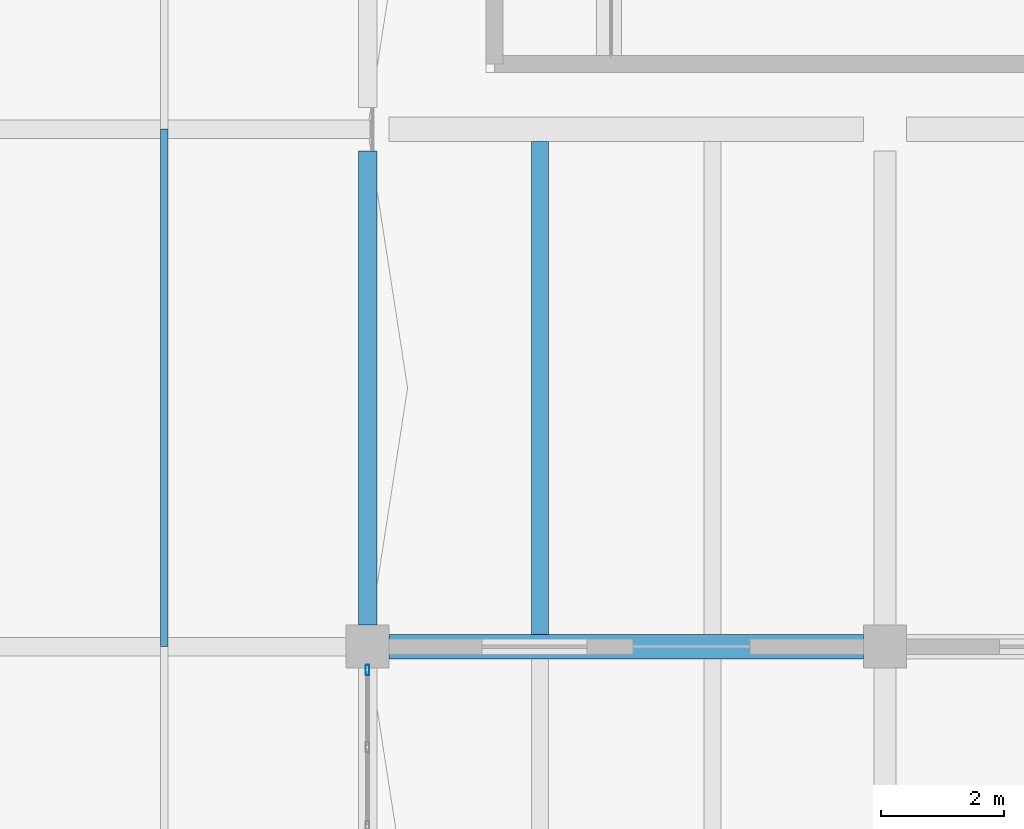
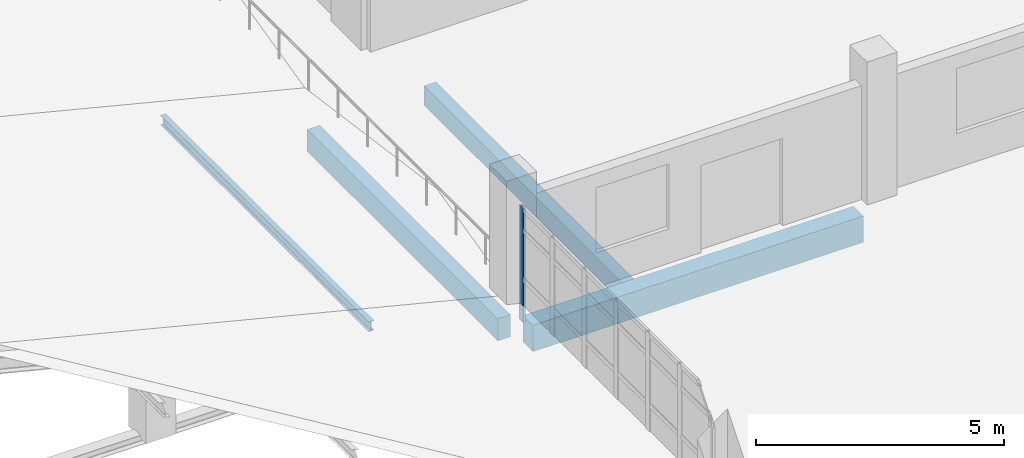
# One storey, part 58 of 95: 3 beams, 2 members, 1 element without a shape of its own.
"""IFC4 building model written with IfcOpenShell, lengths in metres."""

from ifc_helpers import new_model, si_unit, direction, frame, origin, origin_2d, place, context, subcontext, project, spatial, rectangle, hollow_rectangle, i_section, extrude, material, layer, layer_set, material_profile, profile_set, type_object, element, aggregate, save


model = new_model("IFC4")

# Units and contexts
model_context = context("Model", 3, precision=1e-05, world=origin(), true_north=direction((0.0, 1.0)))
body_context = subcontext(model_context, "Body", "Model", "MODEL_VIEW")
ifc_project = project(units=[si_unit("LENGTHUNIT", "METRE"), si_unit("AREAUNIT", "SQUARE_METRE"), si_unit("VOLUMEUNIT", "CUBIC_METRE"), si_unit("PLANEANGLEUNIT", "RADIAN"), si_unit("MASSUNIT", "GRAM", prefix="KILO"), si_unit("THERMODYNAMICTEMPERATUREUNIT", "KELVIN"), si_unit("POWERUNIT", "WATT")], contexts=[model_context])

# Site, building, storey
site_placement = place(None, origin())
site = spatial("IfcSite", under=ifc_project, at=site_placement, CompositionType="ELEMENT")
building_placement = place(site_placement, origin())
building = spatial("IfcBuilding", under=site, at=building_placement, Name="Mavoryth Pier Ferry Terminal", CompositionType="ELEMENT")
storey_placement = place(building_placement, frame((0.0, 0.0, 9.60009765625)))
storey = spatial("IfcBuildingStorey", under=building, at=storey_placement, Name="L02", CompositionType="ELEMENT", Elevation=9.60009765625)

# Beams
ifc_material_1 = material(Name="Concrete C35/45", Category="concrete")
ifc_material_profile_1 = material_profile(ifc_material_1, rectangle(XDim=0.39990234375, YDim=0.64990234375, at=origin_2d()), Name="RC 400x650", Category="concrete")
ifc_profile_set_1 = profile_set([ifc_material_profile_1], Name="Concrete C35/45 - RC 400x650")
beam_type_1 = type_object("IfcBeamType", Name="Girder-RC-400x650", PredefinedType="BEAM", material=ifc_profile_set_1)
beam_1_placement = place(storey_placement, frame((75.949951171875, 89.199951171875, -0.68505859375), z_axis=(1.0, 0.0, 0.0), x_axis=(0.0, 1.0, 0.0)))
element("IfcBeam", 1, at=beam_1_placement, inside=storey, type_object=beam_type_1, Name="Beam B02-BG05-0722", PredefinedType="BEAM", context=body_context, shape_type="SweptSolid", body=[
    extrude(rectangle(XDim=0.39990234375, YDim=0.64990234375, at=origin_2d()), origin(), (0.0, 0.0, 1.0), 7.699951171875),
])
ifc_material_profile_2 = material_profile(ifc_material_1, rectangle(XDim=0.280029296875, YDim=0.47998046875, at=origin_2d()), Name="RC 280x480", Category="concrete")
ifc_profile_set_2 = profile_set([ifc_material_profile_2], Name="Concrete C35/45 - RC 280x480")
beam_type_2 = type_object("IfcBeamType", Name="Joist-RC-280x480", PredefinedType="JOIST", material=ifc_profile_set_2)
beam_2_placement = place(storey_placement, frame((78.39990234375, 89.39990234375, -0.60009765625), z_axis=(0.0, 1.0, 0.0), x_axis=(-1.0, 0.0, 0.0)))
element("IfcBeam", 2, at=beam_2_placement, inside=storey, type_object=beam_type_2, Name="Beam B02-BJ02-0742", PredefinedType="JOIST", context=body_context, shape_type="SweptSolid", body=[
    extrude(rectangle(XDim=0.280029296875, YDim=0.47998046875, at=origin_2d()), origin(), (0.0, 0.0, 1.0), 8.0),
])

# Curtain wall, member
ifc_material_2 = material(Name="Anodised Aluminium and Solar-Control Low-E Glass", Category="aluminium")
ifc_layer = layer(ifc_material_2, 0.159912109375, Name="Anodised Aluminium and Solar-Control Low-E Glass", Category="aluminium")
ifc_layer_set = layer_set([ifc_layer], Name="Anodised Aluminium and Solar-Control Low-E Glass - CW-Arrivals-Mod1400")
curtain_wall_type = type_object("IfcCurtainWallType", Name="CW-Arrivals-Mod1400", PredefinedType="USERDEFINED", material=ifc_layer_set)
curtain_wall_placement = place(storey_placement, origin())
curtain_wall = element("IfcCurtainWall", 3, at=curtain_wall_placement, inside=storey, type_object=curtain_wall_type, Name="Curtain Wall CW-0222-074", ObjectType="UNITISED CURTAIN WALL", PredefinedType="USERDEFINED")
ifc_material_3 = material(Name="Anodised Aluminium EN AW-6063", Category="aluminium")
ifc_material_profile_3 = material_profile(ifc_material_3, hollow_rectangle(XDim=0.06005859375, YDim=0.1650390625, WallThickness=0.00390625, InnerFilletRadius=0.00390625, OuterFilletRadius=0.008056640625, at=origin_2d()), Name="AL-MULL 165x60x4", Category="aluminium")
ifc_profile_set_3 = profile_set([ifc_material_profile_3], Name="Anodised Aluminium EN AW-6063 - AL-MULL 165x60x4")
member_type_1 = type_object("IfcMemberType", Name="Mullion-Alum-165x60", PredefinedType="MULLION", material=ifc_profile_set_3)
member_1_placement = place(storey_placement, frame((75.60009765625, 88.820068359375, 0.0), z_axis=(0.0, 0.0, 1.0), x_axis=(1.0, 0.0, 0.0)))
member_1 = element("IfcMember", 4, at=member_1_placement, type_object=member_type_1, Name="CW04 mullion 1", PredefinedType="MULLION", context=body_context, shape_type="SweptSolid", body=[
    extrude(hollow_rectangle(XDim=0.06005859375, YDim=0.1650390625, WallThickness=0.00390625, InnerFilletRadius=0.00390625, OuterFilletRadius=0.008056640625, at=origin_2d()), origin(), (0.0, 0.0, 1.0), 2.804931640625),
])
aggregate(curtain_wall, [member_1])

# Member
ifc_material_4 = material(Name="Steel S355J2", Category="steel")
ifc_material_profile_4 = material_profile(ifc_material_4, i_section(OverallWidth=0.1201171875, OverallDepth=0.239990234375, WebThickness=0.006103515625, FlangeThickness=0.009765625, FilletRadius=0.014892578125, at=origin_2d()), Name="IPE 240", Category="steel")
ifc_profile_set_4 = profile_set([ifc_material_profile_4], Name="Steel S355J2 - IPE 240")
member_type_2 = type_object("IfcMemberType", Name="Purlin-Roof-IPE240", PredefinedType="PURLIN", material=ifc_profile_set_4)
member_2_placement = place(storey_placement, frame((72.300048828125, 89.199951171875, 0.78076171875), z_axis=(0.0, 1.0, 0.0), x_axis=(-1.0, 0.0, 0.0)))
element("IfcMember", 5, at=member_2_placement, inside=storey, type_object=member_type_2, Name="Steel Member MB-L02-0227", PredefinedType="PURLIN", context=body_context, shape_type="SweptSolid", body=[
    extrude(i_section(OverallWidth=0.1201171875, OverallDepth=0.239990234375, WebThickness=0.006103515625, FlangeThickness=0.009765625, FilletRadius=0.014892578125, at=origin_2d()), origin(), (0.0, 0.0, 1.0), 8.400146484375),
])

# Beam
ifc_material_profile_5 = material_profile(ifc_material_1, rectangle(XDim=0.300048828125, YDim=0.5400390625, at=origin_2d()), Name="RC 300x540", Category="concrete")
ifc_profile_set_5 = profile_set([ifc_material_profile_5], Name="Concrete C35/45 - RC 300x540")
beam_type_3 = type_object("IfcBeamType", Name="Spandrel-RC-300x540", PredefinedType="SPANDREL", material=ifc_profile_set_5)
beam_3_placement = place(storey_placement, frame((75.60009765625, 89.550048828125, -0.630126953125), z_axis=(0.0, 1.0, 0.0), x_axis=(-1.0, 0.0, 0.0)))
element("IfcBeam", 6, at=beam_3_placement, inside=storey, type_object=beam_type_3, Name="Beam B02-SP02-0730", PredefinedType="SPANDREL", context=body_context, shape_type="SweptSolid", body=[
    extrude(rectangle(XDim=0.300048828125, YDim=0.5400390625, at=origin_2d()), origin(), (0.0, 0.0, 1.0), 7.699951171875),
])

save(model, "model.ifc")
